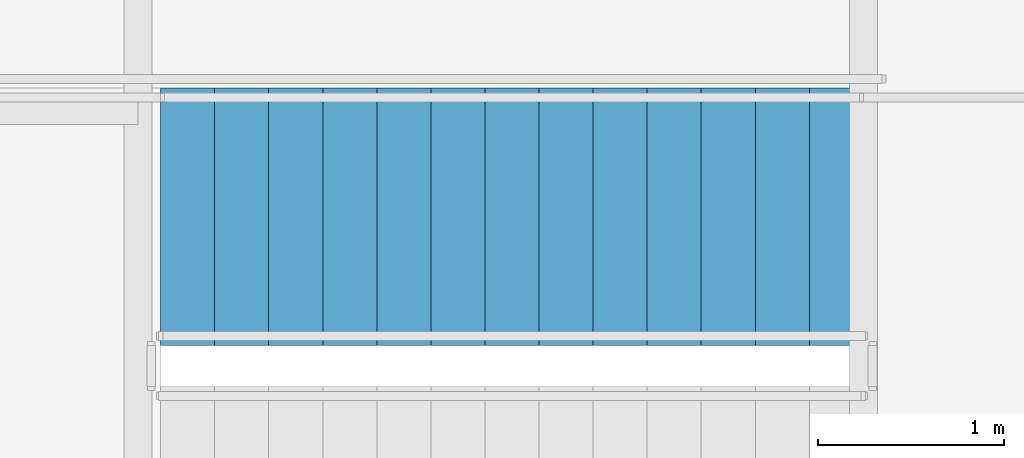
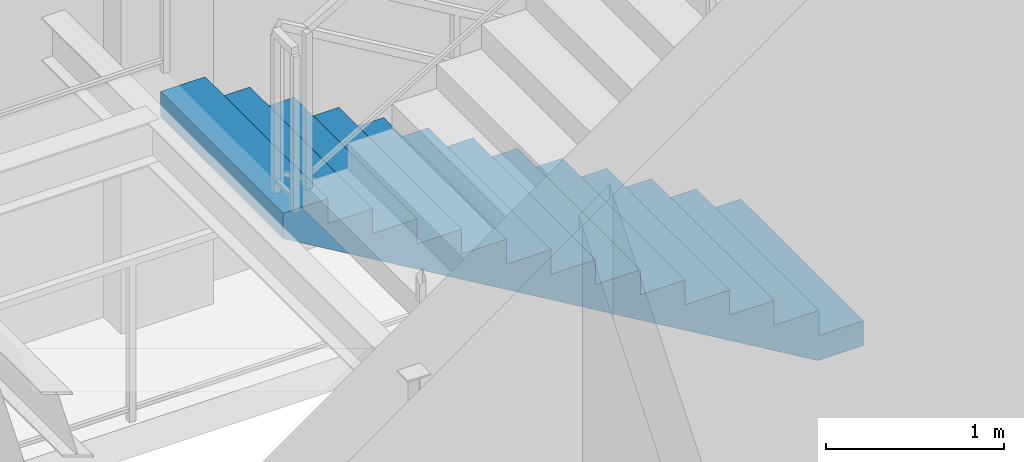
# One storey, part 30 of 32: 1 stair flight, 1 element without a shape of its own.
"""IFC4 building model written with IfcOpenShell, lengths in metres."""

from ifc_helpers import new_model, si_unit, direction, frame, origin, place, context, subcontext, project, spatial, polyline, outline, extrude, material, type_object, element, aggregate, save


model = new_model("IFC4")

# Units and contexts
model_context = context("Model", 3, precision=1e-05, world=origin(), true_north=direction((0.0, 1.0)))
body_context = subcontext(model_context, "Body", "Model", "MODEL_VIEW")
ifc_project = project(units=[si_unit("LENGTHUNIT", "METRE"), si_unit("AREAUNIT", "SQUARE_METRE"), si_unit("VOLUMEUNIT", "CUBIC_METRE"), si_unit("PLANEANGLEUNIT", "RADIAN"), si_unit("MASSUNIT", "GRAM", prefix="KILO")], contexts=[model_context])

# Site, building, storey
site_placement = place(None, origin())
site = spatial("IfcSite", under=ifc_project, at=site_placement, CompositionType="ELEMENT")
building_placement = place(site_placement, origin())
building = spatial("IfcBuilding", under=site, at=building_placement, Name="Khoronbel Lancet Exchange", CompositionType="ELEMENT")
storey_placement = place(building_placement, frame((0.0, 0.0, 257.0)))
storey = spatial("IfcBuildingStorey", under=building, at=storey_placement, Name="L66", CompositionType="ELEMENT", Elevation=257.0)

# Stair, stair flight
ifc_material = material(Name="Concrete C40/50", Category="concrete")
stair_type = type_object("IfcStairType", Name="STR-CORE150", PredefinedType="HALF_TURN_STAIR", material=ifc_material)
stair_placement = place(storey_placement, origin())
stair = element("IfcStair", 1, at=stair_placement, inside=storey, type_object=stair_type, Name="L66 Protected Exit Stair ST2", PredefinedType="HALF_TURN_STAIR")
stair_flight_type = type_object("IfcStairFlightType", Name="STF-150", PredefinedType="STRAIGHT", material=ifc_material)
stair_flight_placement = place(storey_placement, frame((54.60009765625, 51.409912109375, 0.0), z_axis=(0.0, 0.0, 1.0), x_axis=(-1.0, 0.0, 0.0)))
stair_flight = element("IfcStairFlight", 2, at=stair_flight_placement, type_object=stair_flight_type, Name="ST2 flight 1", NumberOfRisers=14, NumberOfTreads=13, PredefinedType="STRAIGHT", RiserHeight=0.171428571, TreadLength=0.29, context=body_context, shape_type="SweptSolid", body=[
    extrude(outline(polyline([(0.0, 0.0), (0.0, 0.17138671875), (0.2900390625, 0.17138671875), (0.2900390625, 0.3427734375), (0.580078125, 0.3427734375), (0.580078125, 0.514404296875), (0.8701171875, 0.514404296875), (0.8701171875, 0.685791015625), (1.159912109375, 0.685791015625), (1.159912109375, 0.857177734375), (1.449951171875, 0.857177734375), (1.449951171875, 1.028564453125), (1.739990234375, 1.028564453125), (1.739990234375, 1.199951171875), (2.030029296875, 1.199951171875), (2.030029296875, 1.371337890625), (2.320068359375, 1.371337890625), (2.320068359375, 1.54296875), (2.610107421875, 1.54296875), (2.610107421875, 1.71435546875), (2.89990234375, 1.71435546875), (2.89990234375, 1.8857421875), (3.18994140625, 1.8857421875), (3.18994140625, 2.05712890625), (3.47998046875, 2.05712890625), (3.47998046875, 2.228515625), (3.77001953125, 2.228515625), (3.77001953125, 2.39990234375), (3.77001953125, 2.054443359375), (0.294677734375, 0.0), (0.0, 0.0)])), frame((0.0, 0.68994140625, 0.0), z_axis=(0.0, -1.0, 0.0), x_axis=(1.0, 0.0, 0.0)), (0.0, 0.0, 1.0), 1.3798828125),
])
aggregate(stair, [stair_flight])

save(model, "model.ifc")
